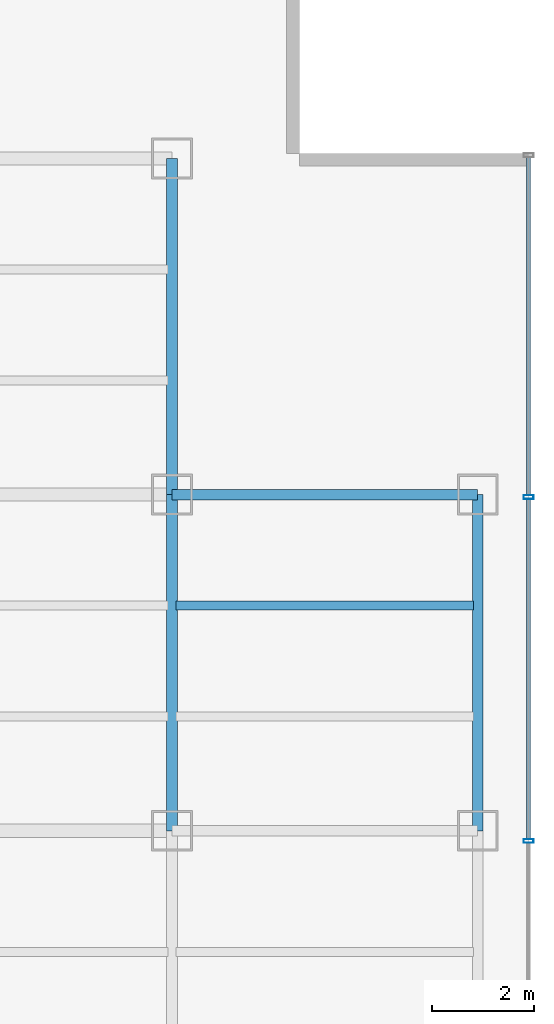
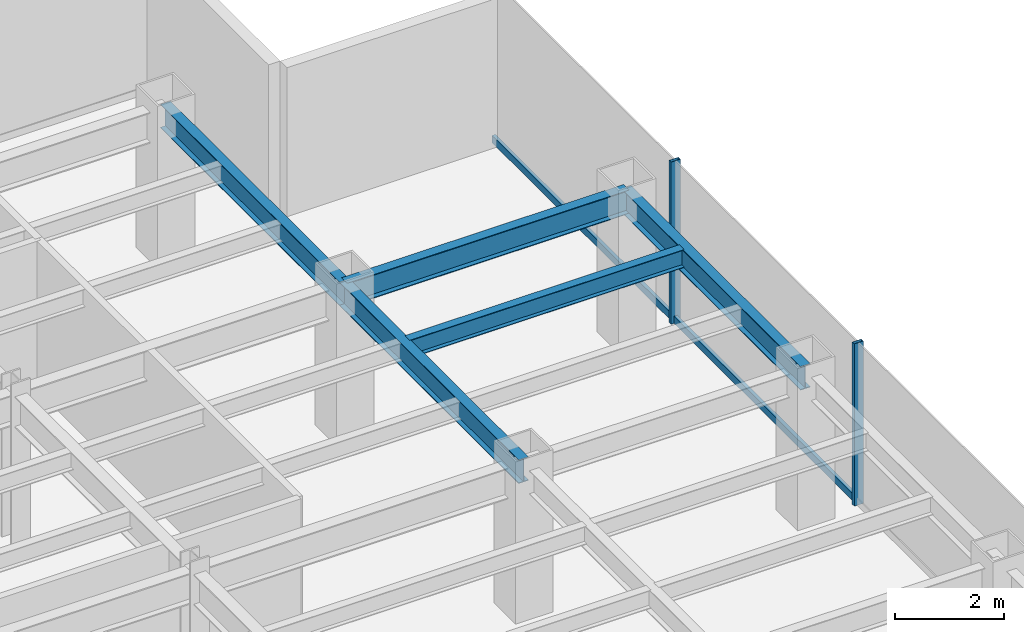
# One storey, part 12 of 26: 5 beams, 4 members, 1 element without a shape of its own.
"""IFC4 building model written with IfcOpenShell, lengths in metres."""

from ifc_helpers import new_model, si_unit, derived_unit, direction, frame, origin, origin_2d, place, context, subcontext, project, spatial, hollow_rectangle, i_section, extrude, source, transform, mapped, material, material_profile, profile_set, type_object, element, aggregate, save


model = new_model("IFC4")

# Units and contexts
model_context = context("Model", 3, precision=1e-05, world=origin(), true_north=direction((0.0, 1.0)))
body_context = subcontext(model_context, "Body", "Model", "MODEL_VIEW")
ifc_project = project(units=[si_unit("LENGTHUNIT", "METRE"), si_unit("AREAUNIT", "SQUARE_METRE"), si_unit("VOLUMEUNIT", "CUBIC_METRE"), si_unit("PLANEANGLEUNIT", "RADIAN"), si_unit("MASSUNIT", "GRAM", prefix="KILO"), derived_unit("THERMALTRANSMITTANCEUNIT", [(si_unit("POWERUNIT", "WATT"), 1), (si_unit("LENGTHUNIT", "METRE"), -2), (si_unit("THERMODYNAMICTEMPERATUREUNIT", "KELVIN"), -1)])], contexts=[model_context])

# Site, building, storey
site_placement = place(None, origin())
site = spatial("IfcSite", under=ifc_project, at=site_placement, CompositionType="ELEMENT")
building_placement = place(site_placement, origin())
building = spatial("IfcBuilding", under=site, at=building_placement, Name="Skarnbrae Concourse Arena and Tower", CompositionType="ELEMENT")
storey_placement = place(building_placement, frame((0.0, 0.0, 132.449951171875)))
storey = spatial("IfcBuildingStorey", under=building, at=storey_placement, Name="L33", CompositionType="ELEMENT", Elevation=132.449951171875)

# Beams
ifc_material_1 = material(Name="Steel CSA G40.21 350W", Category="steel")
ifc_material_profile_1 = material_profile(ifc_material_1, i_section(OverallWidth=0.208984375, OverallDepth=0.532958984375, WebThickness=0.01025390625, FlangeThickness=0.015625, at=origin_2d()), Name="W530X92")
ifc_profile_set_1 = profile_set([ifc_material_profile_1], Name="Steel CSA G40.21 350W")
beam_type_1 = type_object("IfcBeamType", Name="BM-SPAN-W530X92", PredefinedType="SPANDREL", material=ifc_profile_set_1)
shared_shape_1 = source(origin(), body_context, "Body", "SweptSolid", [
    extrude(i_section(OverallWidth=0.208984375, OverallDepth=0.532958984375, WebThickness=0.01025390625, FlangeThickness=0.015625, at=origin_2d()), origin(), (0.0, 0.0, 1.0), 6.0),
])
beam_1_placement = place(storey_placement, frame((49.0, 27.800048828125, 3.08349609375), z_axis=(1.0, 0.0, 0.0), x_axis=(0.0, 1.0, 0.0)))
element("IfcBeam", 1, at=beam_1_placement, inside=storey, type_object=beam_type_1, Name="L33 Perimeter spandrel Y27.8-8", PredefinedType="SPANDREL", context=body_context, shape_type="MappedRepresentation", body=[
    mapped(shared_shape_1, transform((0.0, 0.0, 0.0))),
])
shared_shape_2 = source(origin(), body_context, "Body", "SweptSolid", [
    extrude(i_section(OverallWidth=0.208984375, OverallDepth=0.532958984375, WebThickness=0.01025390625, FlangeThickness=0.015625, at=origin_2d()), origin(), (0.0, 0.0, 1.0), 6.60009765625),
])
for number, where, z_axis, x_axis, name in (
    (2, (49.0, 21.199951171875, 3.08349609375), (0.0, 1.0, 0.0), (-1.0, 0.0, 0.0), "L33 Perimeter spandrel X49.0-3"),
    (3, (55.0, 21.199951171875, 3.08349609375), (0.0, 1.0, 0.0), (-1.0, 0.0, 0.0), "L33 Perimeter spandrel X55.0-3"),
):
    element("IfcBeam", number, at=place(storey_placement, frame(where, z_axis=z_axis, x_axis=x_axis)), inside=storey, type_object=beam_type_1, Name=name, PredefinedType="SPANDREL", context=body_context, shape_type="MappedRepresentation", body=[
        mapped(shared_shape_2, transform((0.0, 0.0, 0.0))),
    ])
shared_shape_3 = source(origin(), body_context, "Body", "SweptSolid", [
    extrude(i_section(OverallWidth=0.208984375, OverallDepth=0.532958984375, WebThickness=0.01025390625, FlangeThickness=0.015625, at=origin_2d()), origin(), (0.0, 0.0, 1.0), 6.599853515625),
])
beam_2_placement = place(storey_placement, frame((49.0, 27.800048828125, 3.08349609375), z_axis=(0.0, 1.0, 0.0), x_axis=(-1.0, 0.0, 0.0)))
element("IfcBeam", 4, at=beam_2_placement, inside=storey, type_object=beam_type_1, Name="L33 Perimeter spandrel X49.0-4", PredefinedType="SPANDREL", context=body_context, shape_type="MappedRepresentation", body=[
    mapped(shared_shape_3, transform((0.0, 0.0, 0.0))),
])
ifc_material_profile_2 = material_profile(ifc_material_1, i_section(OverallWidth=0.177978515625, OverallDepth=0.406982421875, WebThickness=0.0078125, FlangeThickness=0.0126953125, at=origin_2d()), Name="W410X60")
ifc_profile_set_2 = profile_set([ifc_material_profile_2], Name="Steel CSA G40.21 350W")
beam_type_2 = type_object("IfcBeamType", Name="BM-JOIST-W410X60", PredefinedType="JOIST", material=ifc_profile_set_2)
shared_shape_4 = source(origin(), body_context, "Body", "SweptSolid", [
    extrude(i_section(OverallWidth=0.177978515625, OverallDepth=0.406982421875, WebThickness=0.0078125, FlangeThickness=0.0126953125, at=origin_2d()), origin(), (0.0, 0.0, 1.0), 5.83984375),
])
beam_3_placement = place(storey_placement, frame((49.080078125, 25.6220703125, 3.146484375), z_axis=(1.0, 0.0, 0.0), x_axis=(0.0, 1.0, 0.0)))
element("IfcBeam", 5, at=beam_3_placement, inside=storey, type_object=beam_type_2, Name="L33 Secondary floor joist 2.2.8", PredefinedType="JOIST", context=body_context, shape_type="MappedRepresentation", body=[
    mapped(shared_shape_4, transform((0.0, 0.0, 0.0))),
])

# Curtain wall, members
ifc_material_2 = material(Name="Bronze anodised aluminium 6063-T6", Category="aluminium")
curtain_wall_type = type_object("IfcCurtainWallType", Name="CW-SYS-04-MIDZONE", PredefinedType="USERDEFINED", material=ifc_material_2)
curtain_wall_placement = place(storey_placement, origin())
curtain_wall = element("IfcCurtainWall", 6, at=curtain_wall_placement, inside=storey, type_object=curtain_wall_type, Name="L33 Unitised curtain wall CW-L33-E04", ObjectType="UNITISED CURTAIN WALL", PredefinedType="USERDEFINED")
ifc_material_profile_3 = material_profile(ifc_material_2, hollow_rectangle(XDim=0.074951171875, YDim=0.195068359375, WallThickness=0.00439453125, at=origin_2d()), Name="ALU-MULL-75X195")
ifc_profile_set_3 = profile_set([ifc_material_profile_3], Name="Bronze anodised aluminium 6063-T6")
member_type_1 = type_object("IfcMemberType", Name="CWM-CW-04", PredefinedType="MULLION", material=ifc_profile_set_3)
shared_shape_5 = source(origin(), body_context, "Body", "SweptSolid", [
    extrude(hollow_rectangle(XDim=0.074951171875, YDim=0.195068359375, WallThickness=0.00439453125, at=origin_2d()), origin(), (0.0, 0.0, 1.0), 3.650146484375),
])
member_1_placement = place(storey_placement, frame((56.0, 21.0, 0.0), z_axis=(0.0, 0.0, 1.0), x_axis=(0.0, 1.0, 0.0)))
member_1 = element("IfcMember", 7, at=member_1_placement, type_object=member_type_1, Name="CW-L33-E04 Mullion 3", PredefinedType="MULLION", context=body_context, shape_type="MappedRepresentation", body=[
    mapped(shared_shape_5, transform((0.0, 0.0, 0.0))),
])
member_2_placement = place(storey_placement, frame((56.0, 27.75, 0.0), z_axis=(0.0, 0.0, 1.0), x_axis=(0.0, 1.0, 0.0)))
member_2 = element("IfcMember", 8, at=member_2_placement, type_object=member_type_1, Name="CW-L33-E04 Mullion 4", PredefinedType="MULLION", context=body_context, shape_type="MappedRepresentation", body=[
    mapped(shared_shape_5, transform((0.0, 0.0, 0.0))),
])
ifc_material_profile_4 = material_profile(ifc_material_2, hollow_rectangle(XDim=0.074951171875, YDim=0.159912109375, WallThickness=0.00439453125, at=origin_2d()), Name="ALU-TRAN-75X160")
ifc_profile_set_4 = profile_set([ifc_material_profile_4], Name="Bronze anodised aluminium 6063-T6")
member_type_2 = type_object("IfcMemberType", Name="CWT-CW-04", PredefinedType="USERDEFINED", material=ifc_profile_set_4)
shared_shape_6 = source(origin(), body_context, "Body", "SweptSolid", [
    extrude(hollow_rectangle(XDim=0.074951171875, YDim=0.159912109375, WallThickness=0.00439453125, at=origin_2d()), origin(), (0.0, 0.0, 1.0), 6.637451171875),
])
member_3_placement = place(storey_placement, frame((56.0, 27.78759765625, 0.080078125), z_axis=(0.0, 1.0, 0.0), x_axis=(-1.0, 0.0, 0.0)))
member_3 = element("IfcMember", 9, at=member_3_placement, type_object=member_type_2, Name="CW-L33-E04 Transom 4", ObjectType="TRANSOM", PredefinedType="USERDEFINED", context=body_context, shape_type="MappedRepresentation", body=[
    mapped(shared_shape_6, transform((0.0, 0.0, 0.0))),
])
shared_shape_7 = source(origin(), body_context, "Body", "SweptSolid", [
    extrude(hollow_rectangle(XDim=0.074951171875, YDim=0.159912109375, WallThickness=0.00439453125, at=origin_2d()), origin(), (0.0, 0.0, 1.0), 6.6748046875),
])
member_4_placement = place(storey_placement, frame((56.0, 21.03759765625, 0.080078125), z_axis=(0.0, 1.0, 0.0), x_axis=(-1.0, 0.0, 0.0)))
member_4 = element("IfcMember", 10, at=member_4_placement, type_object=member_type_2, Name="CW-L33-E04 Transom 3", ObjectType="TRANSOM", PredefinedType="USERDEFINED", context=body_context, shape_type="MappedRepresentation", body=[
    mapped(shared_shape_7, transform((0.0, 0.0, 0.0))),
])
aggregate(curtain_wall, [member_1, member_2, member_4, member_3])

save(model, "model.ifc")
